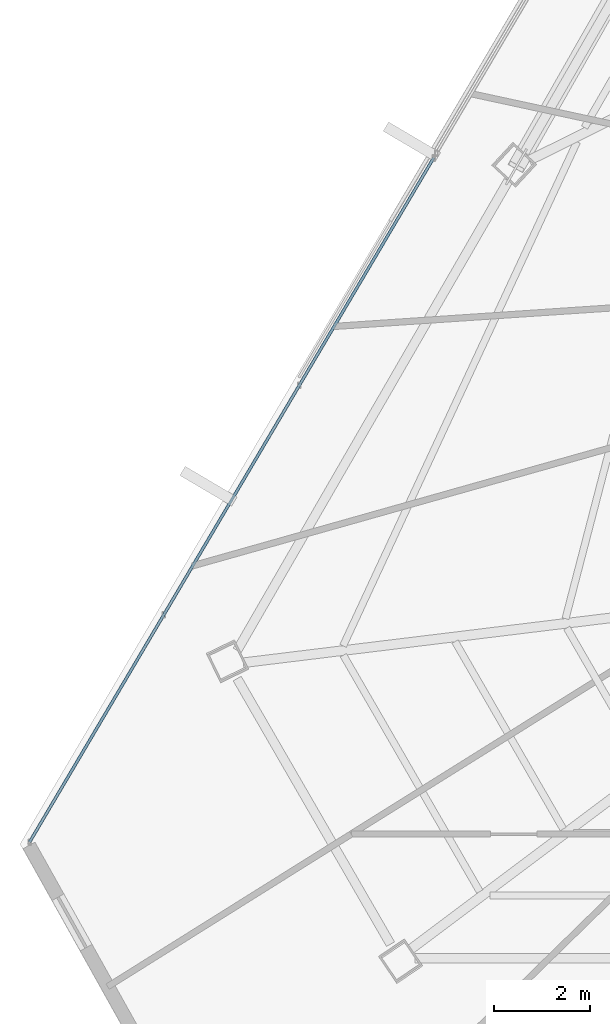
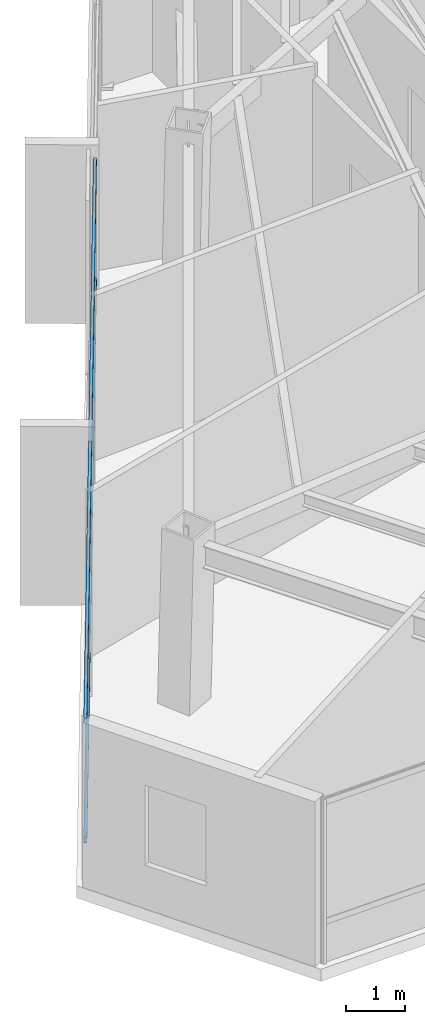
# One storey, part 8 of 45: 2 members, 1 element without a shape of its own.
"""IFC4 building model written with IfcOpenShell, lengths in metres."""

from ifc_helpers import new_model, si_unit, direction, frame, origin, origin_2d, place, context, subcontext, project, spatial, hollow_rectangle, extrude, source, transform, mapped, material, material_profile, profile_set, type_object, type_shapes, element, aggregate, save


model = new_model("IFC4")

# Units and contexts
model_context = context("Model", 3, precision=1e-05, world=origin(), true_north=direction((0.0, 1.0)))
body_context = subcontext(model_context, "Body", "Model", "MODEL_VIEW")
ifc_project = project(units=[si_unit("LENGTHUNIT", "METRE"), si_unit("AREAUNIT", "SQUARE_METRE"), si_unit("VOLUMEUNIT", "CUBIC_METRE"), si_unit("PLANEANGLEUNIT", "RADIAN"), si_unit("MASSUNIT", "GRAM", prefix="KILO")], contexts=[model_context])

# Site, building, storey
site_placement = place(None, origin())
site = spatial("IfcSite", under=ifc_project, at=site_placement, CompositionType="ELEMENT")
building_placement = place(site_placement, origin())
building = spatial("IfcBuilding", under=site, at=building_placement, Name="Caelisora Broadcast Tower", CompositionType="ELEMENT")
storey_placement = place(building_placement, frame((0.0, 0.0, 266.35009765625)))
storey = spatial("IfcBuildingStorey", under=building, at=storey_placement, Name="L70", CompositionType="ELEMENT", Elevation=266.35009765625)

# Curtain wall, members
ifc_material_1 = material(Name="Unitised Aluminium and Low-E Glass Curtain Wall", Category="glass")
curtain_wall_type = type_object("IfcCurtainWallType", Name="CW-Z5", PredefinedType="NOTDEFINED", material=ifc_material_1)
curtain_wall_placement = place(storey_placement, origin())
curtain_wall = element("IfcCurtainWall", 1, at=curtain_wall_placement, inside=storey, type_object=curtain_wall_type, Name="L70 curtain wall CW-Z5", PredefinedType="NOTDEFINED")
ifc_material_2 = material(Name="Aluminium 6063-T6 Anodised Terracotta Bronze", Category="aluminium")
ifc_material_profile = material_profile(ifc_material_2, hollow_rectangle(XDim=0.06005859375, YDim=0.1201171875, WallThickness=0.0029296875, at=origin_2d()), Name="Aluminium 6063-T6 Anodised Terracotta Bronze")
ifc_profile_set = profile_set([ifc_material_profile], Name="Aluminium 6063-T6 Anodised Terracotta Bronze")
member_type = type_object("IfcMemberType", Name="CWT-03", PredefinedType="USERDEFINED", material=ifc_profile_set)
shared_shape = source(origin(), body_context, "Body", "SweptSolid", [
    extrude(hollow_rectangle(XDim=0.06005859375, YDim=0.1201171875, WallThickness=0.0029296875, at=origin_2d()), origin(), (0.0, 0.0, 1.0), 16.497802734375),
])
type_shapes(member_type, [shared_shape])
member_1_placement = place(storey_placement, frame((12.4404296875, 12.01220703125, 0.849853515625), z_axis=(0.50853136758, 0.861043464749, 0.0), x_axis=(-0.861043464749, 0.50853136758, 0.0)))
member_1 = element("IfcMember", 2, at=member_1_placement, type_object=member_type, Name="L70-CW-B09 transom #1", ObjectType="TRANSOM", PredefinedType="USERDEFINED", context=body_context, shape_type="MappedRepresentation", body=[
    mapped(shared_shape, transform((0.0, 0.0, 0.0), scale=1.0)),
])
member_2_placement = place(storey_placement, frame((12.4404296875, 12.01220703125, 3.31982421875), z_axis=(0.50853136758, 0.861043464749, 0.0), x_axis=(-0.861043464749, 0.50853136758, 0.0)))
member_2 = element("IfcMember", 3, at=member_2_placement, type_object=member_type, Name="L70-CW-B09 transom #2", ObjectType="TRANSOM", PredefinedType="USERDEFINED", context=body_context, shape_type="MappedRepresentation", body=[
    mapped(shared_shape, transform((0.0, 0.0, 0.0), scale=1.0)),
])
aggregate(curtain_wall, [member_1, member_2])

save(model, "model.ifc")
